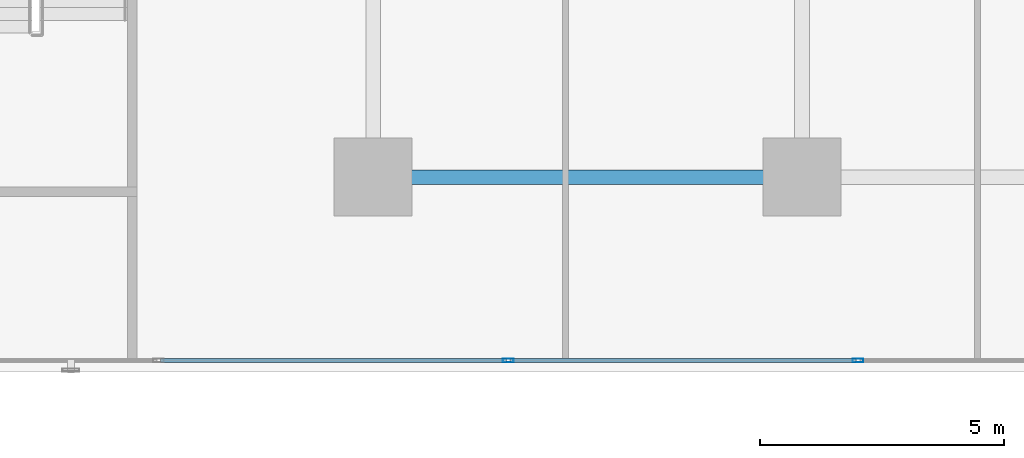
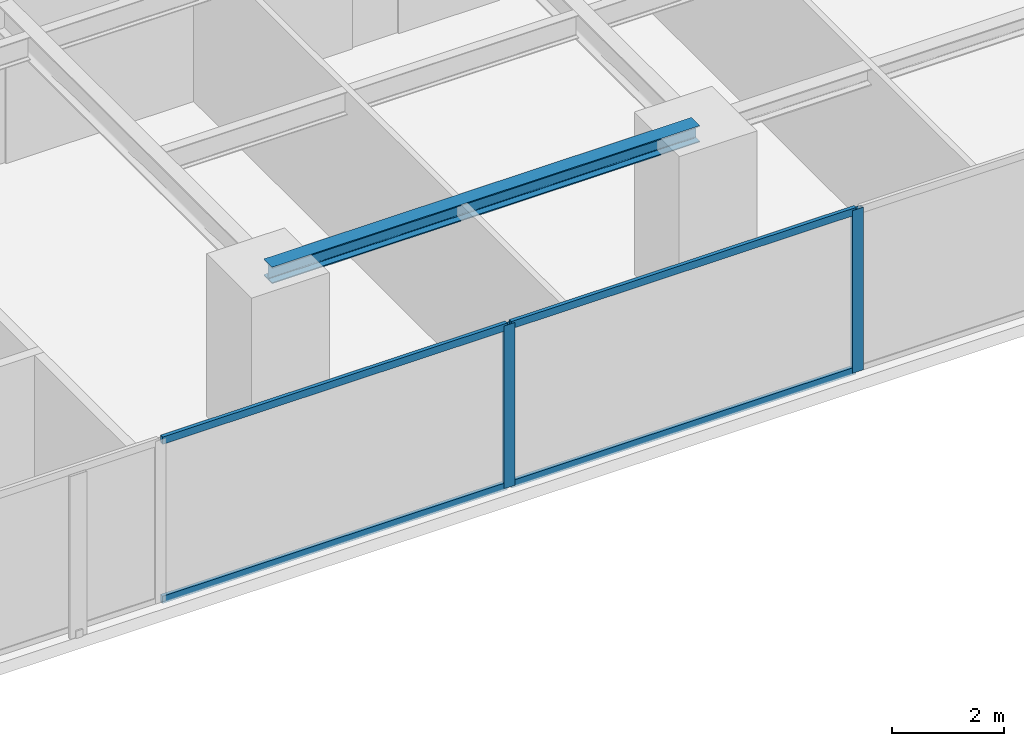
# One storey, part 9 of 26: 6 members, 1 beam, 1 element without a shape of its own.
"""IFC4 building model written with IfcOpenShell, lengths in metres."""

from ifc_helpers import new_model, si_unit, direction, frame, origin, origin_with_axes, origin_2d, place, context, subcontext, project, spatial, hollow_rectangle, i_section, extrude, source, transform, mapped, material, layer, layer_set, material_profile, profile_set, type_object, element, aggregate, save


model = new_model("IFC4")

# Units and contexts
model_context = context("Model", 3, precision=1e-05, world=origin(), true_north=direction((0.0, 1.0)))
body_context = subcontext(model_context, "Body", "Model", "MODEL_VIEW")
ifc_project = project(units=[si_unit("LENGTHUNIT", "METRE"), si_unit("AREAUNIT", "SQUARE_METRE"), si_unit("VOLUMEUNIT", "CUBIC_METRE"), si_unit("PLANEANGLEUNIT", "RADIAN"), si_unit("MASSUNIT", "GRAM", prefix="KILO")], contexts=[model_context])

# Site, building, storey
site_placement = place(None, origin())
site = spatial("IfcSite", under=ifc_project, at=site_placement, CompositionType="ELEMENT")
building_placement = place(site_placement, origin())
building = spatial("IfcBuilding", under=site, at=building_placement, Name="Kolvaren Waterfront Exchange", CompositionType="ELEMENT")
storey_placement = place(building_placement, frame((0.0, 0.0, 44.800048828125)))
storey = spatial("IfcBuildingStorey", under=building, at=storey_placement, Name="L11", CompositionType="ELEMENT", Elevation=44.800048828125)

# Beam
ifc_material_1 = material(Name="Steel S355", Category="steel")
ifc_material_profile_1 = material_profile(ifc_material_1, i_section(OverallWidth=0.300048828125, OverallDepth=0.360107421875, WebThickness=0.012451171875, FlangeThickness=0.0224609375, FilletRadius=0.027099609375, at=origin_2d()), Name="HEB360")
ifc_profile_set_1 = profile_set([ifc_material_profile_1], Name="Steel S355")
beam_type = type_object("IfcBeamType", Name="STR-BM-HEB360", PredefinedType="SPANDREL", material=ifc_profile_set_1)
beam_placement = place(storey_placement, frame((36.800048828125, 5.199951171875, 3.35986328125), z_axis=(1.0, 0.0, 0.0), x_axis=(0.0, 1.0, 0.0)))
element("IfcBeam", 1, at=beam_placement, inside=storey, type_object=beam_type, Name="L11 east-arm spandrel S3", PredefinedType="SPANDREL", context=body_context, shape_type="SweptSolid", body=[
    extrude(i_section(OverallWidth=0.300048828125, OverallDepth=0.360107421875, WebThickness=0.012451171875, FlangeThickness=0.0224609375, FilletRadius=0.027099609375, at=origin_2d()), origin(), (0.0, 0.0, 1.0), 8.800048828125),
])

# Curtain wall, members
ifc_material_2 = material(Name="Anodised bronze aluminium 6063-T6", Category="aluminium")
ifc_layer = layer(ifc_material_2, 0.219970703125, Name="Anodised bronze aluminium 6063-T6")
ifc_layer_set = layer_set([ifc_layer], Name="Anodised bronze aluminium 6063-T6")
curtain_wall_type = type_object("IfcCurtainWallType", Name="ARC-CW-SYS1", PredefinedType="USERDEFINED", material=ifc_layer_set)
curtain_wall_placement = place(storey_placement, origin())
curtain_wall = element("IfcCurtainWall", 2, at=curtain_wall_placement, inside=storey, type_object=curtain_wall_type, Name="L11 stick curtain wall CW1 (CW-L11-S)", ObjectType="STICK CURTAIN WALL", PredefinedType="USERDEFINED")
ifc_material_3 = material(Name="Anodised aluminium 6063-T6", Category="aluminium")
ifc_material_profile_2 = material_profile(ifc_material_3, hollow_rectangle(XDim=0.074951171875, YDim=0.159912109375, WallThickness=0.00439453125, at=origin_2d()), Name="ALU-TRN-160x75x4.5")
ifc_profile_set_2 = profile_set([ifc_material_profile_2], Name="Anodised aluminium 6063-T6")
member_type_1 = type_object("IfcMemberType", Name="ARC-CWT-160", PredefinedType="USERDEFINED", material=ifc_profile_set_2)
shared_shape_1 = source(origin_with_axes(), body_context, "Body", "SweptSolid", [
    extrude(hollow_rectangle(XDim=0.074951171875, YDim=0.159912109375, WallThickness=0.00439453125, at=origin_2d()), origin(), (0.0, 0.0, 1.0), 7.094970703125),
])
member_1_placement = place(storey_placement, frame((32.43994140625, 1.43994140625, 0.037353515625), z_axis=(1.0, 0.0, 0.0), x_axis=(0.0, 1.0, 0.0)))
member_1 = element("IfcMember", 3, at=member_1_placement, type_object=member_type_1, Name="CW1 transom 5.1", ObjectType="TRANSOM", PredefinedType="USERDEFINED", context=body_context, shape_type="MappedRepresentation", body=[
    mapped(shared_shape_1, transform((0.0, 0.0, 0.0), x_axis=(1.0, 0.0, 0.0), y_axis=(0.0, 1.0, 0.0), z_axis=(0.0, 0.0, 1.0), scale=1.0)),
])
member_2_placement = place(storey_placement, frame((32.43994140625, 1.43994140625, 3.50244140625), z_axis=(1.0, 0.0, 0.0), x_axis=(0.0, 1.0, 0.0)))
member_2 = element("IfcMember", 4, at=member_2_placement, type_object=member_type_1, Name="CW1 transom 5.2", ObjectType="TRANSOM", PredefinedType="USERDEFINED", context=body_context, shape_type="MappedRepresentation", body=[
    mapped(shared_shape_1, transform((0.0, 0.0, 0.0), x_axis=(1.0, 0.0, 0.0), y_axis=(0.0, 1.0, 0.0), z_axis=(0.0, 0.0, 1.0), scale=1.0)),
])
member_3_placement = place(storey_placement, frame((39.614990234375, 1.43994140625, 0.037353515625), z_axis=(1.0, 0.0, 0.0), x_axis=(0.0, 1.0, 0.0)))
member_3 = element("IfcMember", 5, at=member_3_placement, type_object=member_type_1, Name="CW1 transom 6.1", ObjectType="TRANSOM", PredefinedType="USERDEFINED", context=body_context, shape_type="MappedRepresentation", body=[
    mapped(shared_shape_1, transform((0.0, 0.0, 0.0), x_axis=(1.0, 0.0, 0.0), y_axis=(0.0, 1.0, 0.0), z_axis=(0.0, 0.0, 1.0), scale=1.0)),
])
member_4_placement = place(storey_placement, frame((39.614990234375, 1.43994140625, 3.50244140625), z_axis=(1.0, 0.0, 0.0), x_axis=(0.0, 1.0, 0.0)))
member_4 = element("IfcMember", 6, at=member_4_placement, type_object=member_type_1, Name="CW1 transom 6.2", ObjectType="TRANSOM", PredefinedType="USERDEFINED", context=body_context, shape_type="MappedRepresentation", body=[
    mapped(shared_shape_1, transform((0.0, 0.0, 0.0), x_axis=(1.0, 0.0, 0.0), y_axis=(0.0, 1.0, 0.0), z_axis=(0.0, 0.0, 1.0), scale=1.0)),
])
ifc_material_profile_3 = material_profile(ifc_material_3, hollow_rectangle(XDim=0.080078125, YDim=0.219970703125, WallThickness=0.0048828125, at=origin_2d()), Name="ALU-MUL-220x80x5")
ifc_profile_set_3 = profile_set([ifc_material_profile_3], Name="Anodised aluminium 6063-T6")
member_type_2 = type_object("IfcMemberType", Name="ARC-CWM-220", PredefinedType="MULLION", material=ifc_profile_set_3)
shared_shape_2 = source(origin_with_axes(), body_context, "Body", "SweptSolid", [
    extrude(hollow_rectangle(XDim=0.080078125, YDim=0.219970703125, WallThickness=0.0048828125, at=origin_2d()), origin(), (0.0, 0.0, 1.0), 3.5400390625),
])
member_5_placement = place(storey_placement, frame((39.574951171875, 1.43994140625, 0.0), z_axis=(0.0, 0.0, 1.0), x_axis=(0.0, 1.0, 0.0)))
member_5 = element("IfcMember", 7, at=member_5_placement, type_object=member_type_2, Name="CW1 mullion 6", PredefinedType="MULLION", context=body_context, shape_type="MappedRepresentation", body=[
    mapped(shared_shape_2, transform((0.0, 0.0, 0.0), x_axis=(1.0, 0.0, 0.0), y_axis=(0.0, 1.0, 0.0), z_axis=(0.0, 0.0, 1.0), scale=1.0)),
])
member_6_placement = place(storey_placement, frame((46.75, 1.43994140625, 0.0), z_axis=(0.0, 0.0, 1.0), x_axis=(0.0, 1.0, 0.0)))
member_6 = element("IfcMember", 8, at=member_6_placement, type_object=member_type_2, Name="CW1 mullion 7", PredefinedType="MULLION", context=body_context, shape_type="MappedRepresentation", body=[
    mapped(shared_shape_2, transform((0.0, 0.0, 0.0), x_axis=(1.0, 0.0, 0.0), y_axis=(0.0, 1.0, 0.0), z_axis=(0.0, 0.0, 1.0), scale=1.0)),
])
aggregate(curtain_wall, [member_5, member_6, member_1, member_2, member_3, member_4])

save(model, "model.ifc")
